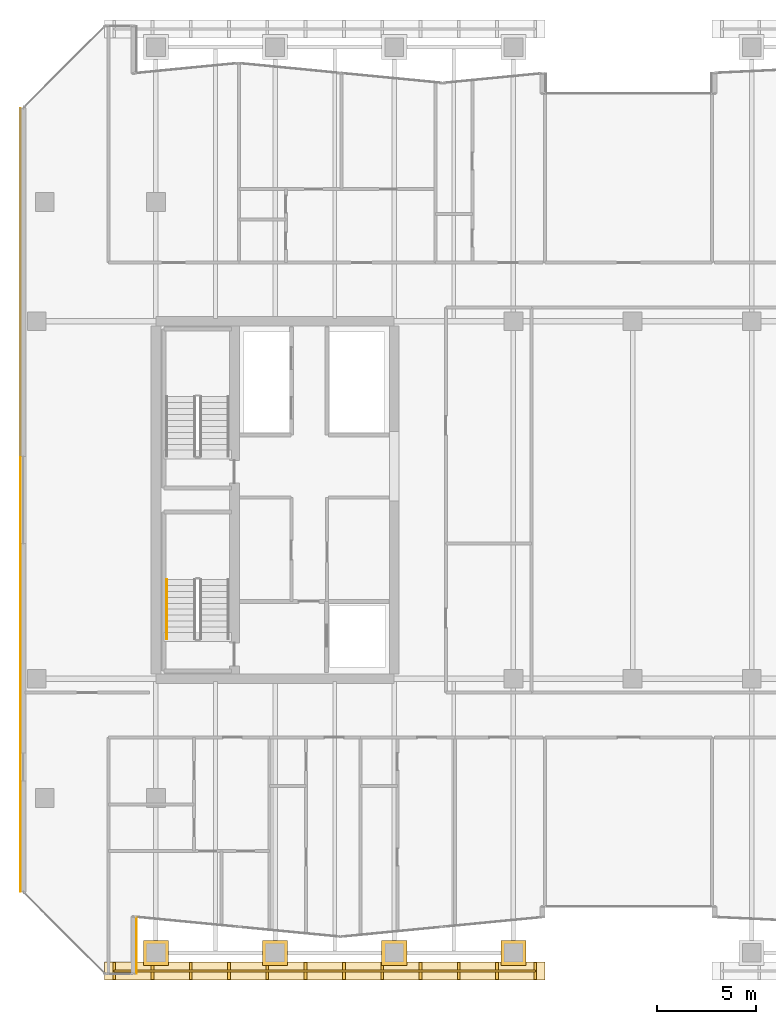
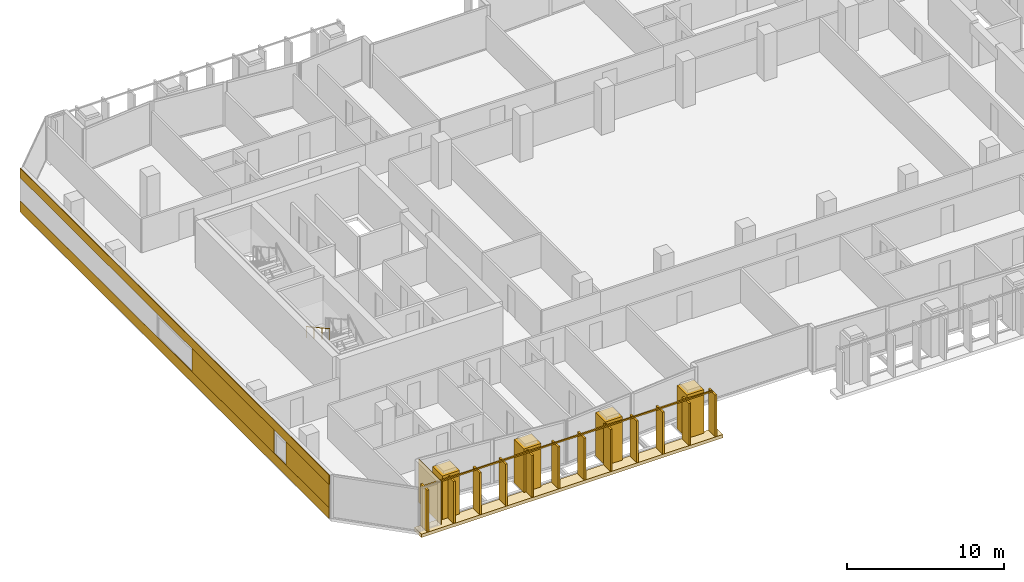
# One storey, part 34 of 39: 10 coverings, 2 railings.
"""IFC4 building model written with IfcOpenShell, lengths in metres."""

from ifc_helpers import new_model, si_unit, direction, frame, origin, origin_2d, place, context, subcontext, project, spatial, rectangle, extrude, material, layer, layer_set, type_object, element, save


model = new_model("IFC4")

# Units and contexts
model_context = context("Model", 3, precision=1e-05, world=origin(), true_north=direction((0.0, 1.0)))
body_context = subcontext(model_context, "Body", "Model", "MODEL_VIEW")
ifc_project = project(units=[si_unit("LENGTHUNIT", "METRE"), si_unit("AREAUNIT", "SQUARE_METRE"), si_unit("VOLUMEUNIT", "CUBIC_METRE"), si_unit("PLANEANGLEUNIT", "RADIAN"), si_unit("MASSUNIT", "GRAM", prefix="KILO")], contexts=[model_context])

# Site, building, storey
site_placement = place(None, origin())
site = spatial("IfcSite", under=ifc_project, at=site_placement, CompositionType="ELEMENT")
building_placement = place(site_placement, origin())
building = spatial("IfcBuilding", under=site, at=building_placement, Name="Tanjung Sevakor Pilgrim Tower", CompositionType="ELEMENT")
storey_placement = place(building_placement, frame((0.0, 0.0, 112.199951171875)))
storey = spatial("IfcBuildingStorey", under=building, at=storey_placement, Name="L31", CompositionType="ELEMENT", Elevation=112.199951171875)

# Coverings
ifc_material_1 = material(Name="Reconstructed Limestone Cladding", Category="masonry")
ifc_layer = layer(ifc_material_1, 0.044921875)
ifc_layer_set = layer_set([ifc_layer], Name="COV-CLAD-LIMESTONE")
covering_type = type_object("IfcCoveringType", Name="COV-CLAD-LIMESTONE", PredefinedType="CLADDING", material=ifc_layer_set)
covering_1_placement = place(storey_placement, frame((23.0224609375, 11.17138671875, 0.02001953125), z_axis=(0.0, 0.0, 1.0), x_axis=(0.0, 1.0, 0.0)))
element("IfcCovering", 1, at=covering_1_placement, inside=storey, type_object=covering_type, Name="L31 Warm Limestone Wall Cladding EW-L31-MAIN-2", PredefinedType="CLADDING", context=body_context, shape_type="SweptSolid", body=[
    extrude(rectangle(XDim=2.852783203125, YDim=0.044921875, at=origin_2d()), origin(), (0.0, 0.0, 1.0), 3.3701171875),
])
covering_2_placement = place(storey_placement, frame((17.177490234375, 33.60009765625, 0.009765625), z_axis=(0.0, 0.0, 1.0), x_axis=(0.0, -1.0, 0.0)))
element("IfcCovering", 2, at=covering_2_placement, inside=storey, type_object=covering_type, Name="L31 Warm Limestone Sill Spandrel EW-L31-MAIN-35-1", PredefinedType="CLADDING", context=body_context, shape_type="SweptSolid", body=[
    extrude(rectangle(XDim=39.41650390625, YDim=0.044921875, at=origin_2d()), origin(), (0.0, 0.0, 1.0), 0.840087890625),
])
covering_3_placement = place(storey_placement, frame((17.177490234375, 33.60009765625, 2.66015625), z_axis=(0.0, 0.0, 1.0), x_axis=(0.0, -1.0, 0.0)))
element("IfcCovering", 3, at=covering_3_placement, inside=storey, type_object=covering_type, Name="L31 Warm Limestone Cornice Spandrel EW-L31-MAIN-35", PredefinedType="CLADDING", context=body_context, shape_type="SweptSolid", body=[
    extrude(rectangle(XDim=39.456298828125, YDim=0.044921875, at=origin_2d()), origin(), (0.0, 0.0, 1.0), 0.739990234375),
])
covering_4_placement = place(storey_placement, frame((17.177490234375, 26.1279296875, 0.85009765625), z_axis=(0.0, 0.0, 1.0), x_axis=(0.0, -1.0, 0.0)))
element("IfcCovering", 4, at=covering_4_placement, inside=storey, type_object=covering_type, Name="L31 Warm Limestone Pier Panel EW-L31-MAIN-35-2", PredefinedType="CLADDING", context=body_context, shape_type="SweptSolid", body=[
    extrude(rectangle(XDim=10.444091796875, YDim=0.044921875, at=origin_2d()), origin(), (0.0, 0.0, 1.0), 1.81005859375),
])
covering_5_placement = place(storey_placement, frame((17.177490234375, 16.64892578125, 0.85009765625), z_axis=(0.0, 0.0, 1.0), x_axis=(0.0, -1.0, 0.0)))
element("IfcCovering", 5, at=covering_5_placement, inside=storey, type_object=covering_type, Name="L31 Warm Limestone Pier Panel EW-L31-MAIN-35-3", PredefinedType="CLADDING", context=body_context, shape_type="SweptSolid", body=[
    extrude(rectangle(XDim=5.51416015625, YDim=0.044921875, at=origin_2d()), origin(), (0.0, 0.0, 1.0), 1.81005859375),
])
for number, where, z_axis, x_axis, name in (
    (6, (24.0, 10.800048828125, 0.01025390625), (0.0, 0.0, 1.0), (1.0, 0.0, 0.0), "L31 Colonnade Pier Limestone Casing 25"),
    (7, (30.0, 10.800048828125, 0.01025390625), (0.0, 0.0, 1.0), (1.0, 0.0, 0.0), "L31 Colonnade Pier Limestone Casing 27"),
    (8, (36.0, 10.800048828125, 0.01025390625), (0.0, 0.0, 1.0), (1.0, 0.0, 0.0), "L31 Colonnade Pier Limestone Casing 29"),
    (9, (42.0, 10.800048828125, 0.01025390625), (0.0, 0.0, 1.0), (1.0, 0.0, 0.0), "L31 Colonnade Pier Limestone Casing 31"),
):
    element("IfcCovering", number, at=place(storey_placement, frame(where, z_axis=z_axis, x_axis=x_axis)), inside=storey, type_object=covering_type, Name=name, PredefinedType="CLADDING", context=body_context, shape_type="SweptSolid", body=[
        extrude(rectangle(XDim=1.260009765625, YDim=1.260009765625, at=origin_2d()), origin(), (0.0, 0.0, 1.0), 3.389892578125),
    ])
covering_6_placement = place(storey_placement, frame((32.5, 9.8798828125, -0.25), z_axis=(0.0, 0.0, 1.0), x_axis=(1.0, 0.0, 0.0)))
element("IfcCovering", 10, at=covering_6_placement, inside=storey, type_object=covering_type, Name="L31 S-Curve Outer Fin Tie Sill SW", PredefinedType="CLADDING", context=body_context, shape_type="SweptSolid", body=[
    extrude(rectangle(XDim=22.199951171875, YDim=0.89990234375, at=origin_2d()), origin(), (0.0, 0.0, 1.0), 0.260009765625),
])

# Railings
ifc_material_2 = material(Name="Anodised Bronze Aluminium 6063-T6", Category="aluminium")
railing_type_1 = type_object("IfcRailingType", Name="RL-FIN-SCREEN", PredefinedType="BALUSTRADE", material=ifc_material_2)
railing_1_placement = place(storey_placement, frame((21.89990234375, 9.8798828125, 0.0)))
element("IfcRailing", 11, at=railing_1_placement, inside=storey, type_object=railing_type_1, Name="L31 Vertical Bronze-Gold Solar Fin Screen FN-SCGAP-L31-SW-1", PredefinedType="BALUSTRADE", context=body_context, shape_type="SweptSolid", body=[
    extrude(rectangle(XDim=0.105, YDim=0.105), frame((0.0, 0.0, 3.317626953125), z_axis=(1.0, 0.0, 0.0), x_axis=(0.0, 1.0, 0.0)), (0.0, 0.0, 1.0), 21.2001953125),
    extrude(rectangle(XDim=0.14, YDim=0.85), origin(), (0.0, 0.0, 1.0), 3.26513671875),
    extrude(rectangle(XDim=0.14, YDim=0.85), frame((1.92724609375, 0.0, 0.0)), (0.0, 0.0, 1.0), 3.26513671875),
    extrude(rectangle(XDim=0.14, YDim=0.85), frame((3.8544921875, 0.0, 0.0)), (0.0, 0.0, 1.0), 3.26513671875),
    extrude(rectangle(XDim=0.14, YDim=0.85), frame((5.781982421875, 0.0, 0.0)), (0.0, 0.0, 1.0), 3.26513671875),
    extrude(rectangle(XDim=0.14, YDim=0.85), frame((7.709228515625, 0.0, 0.0)), (0.0, 0.0, 1.0), 3.26513671875),
    extrude(rectangle(XDim=0.14, YDim=0.85), frame((9.636474609375, 0.0, 0.0)), (0.0, 0.0, 1.0), 3.26513671875),
    extrude(rectangle(XDim=0.14, YDim=0.85), frame((11.563720703125, 0.0, 0.0)), (0.0, 0.0, 1.0), 3.26513671875),
    extrude(rectangle(XDim=0.14, YDim=0.85), frame((13.490966796875, 0.0, 0.0)), (0.0, 0.0, 1.0), 3.26513671875),
    extrude(rectangle(XDim=0.14, YDim=0.85), frame((15.418212890625, 0.0, 0.0)), (0.0, 0.0, 1.0), 3.26513671875),
    extrude(rectangle(XDim=0.14, YDim=0.85), frame((17.345703125, 0.0, 0.0)), (0.0, 0.0, 1.0), 3.26513671875),
    extrude(rectangle(XDim=0.14, YDim=0.85), frame((19.27294921875, 0.0, 0.0)), (0.0, 0.0, 1.0), 3.26513671875),
    extrude(rectangle(XDim=0.14, YDim=0.85), frame((21.2001953125, 0.0, 0.0)), (0.0, 0.0, 1.0), 3.26513671875),
])
ifc_material_3 = material(Name="Steel S355J2", Category="steel")
railing_type_2 = type_object("IfcRailingType", Name="RL-STAIR-HAND", PredefinedType="HANDRAIL", material=ifc_material_3)
railing_2_placement = place(storey_placement, frame((24.550048828125, 29.60009765625, 1.97998046875)))
element("IfcRailing", 12, at=railing_2_placement, inside=storey, type_object=railing_type_2, Name="L31 TS-W1 stair handrail 2", PredefinedType="HANDRAIL", context=body_context, shape_type="SweptSolid", body=[
    extrude(rectangle(XDim=0.0479, YDim=0.0479), frame((0.0, 0.0, 0.8759765625), z_axis=(0.0, -0.876197842262, 0.481951596342), x_axis=(1.0, 0.0, 0.0)), (0.0, 0.0, 1.0), 3.423828125),
    extrude(rectangle(XDim=0.042, YDim=0.042), origin(), (0.0, 0.0, 1.0), 0.851806640625),
    extrude(rectangle(XDim=0.042, YDim=0.042), frame((0.0, -1.0, 0.550048828125)), (0.0, 0.0, 1.0), 0.851806640625),
    extrude(rectangle(XDim=0.042, YDim=0.042), frame((0.0, -2.0, 1.10009765625)), (0.0, 0.0, 1.0), 0.851806640625),
    extrude(rectangle(XDim=0.042, YDim=0.042), frame((0.0, -3.0, 1.650146484375)), (0.0, 0.0, 1.0), 0.851806640625),
])

save(model, "model.ifc")
